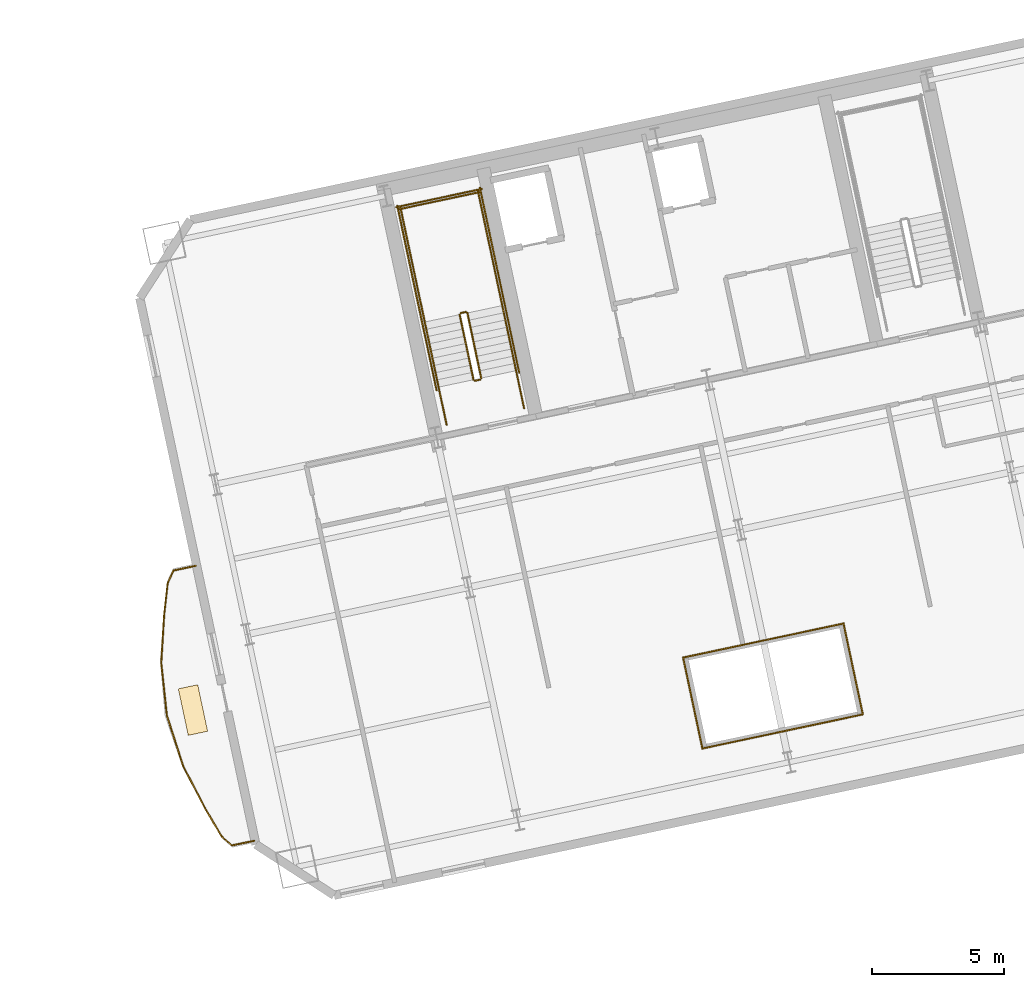
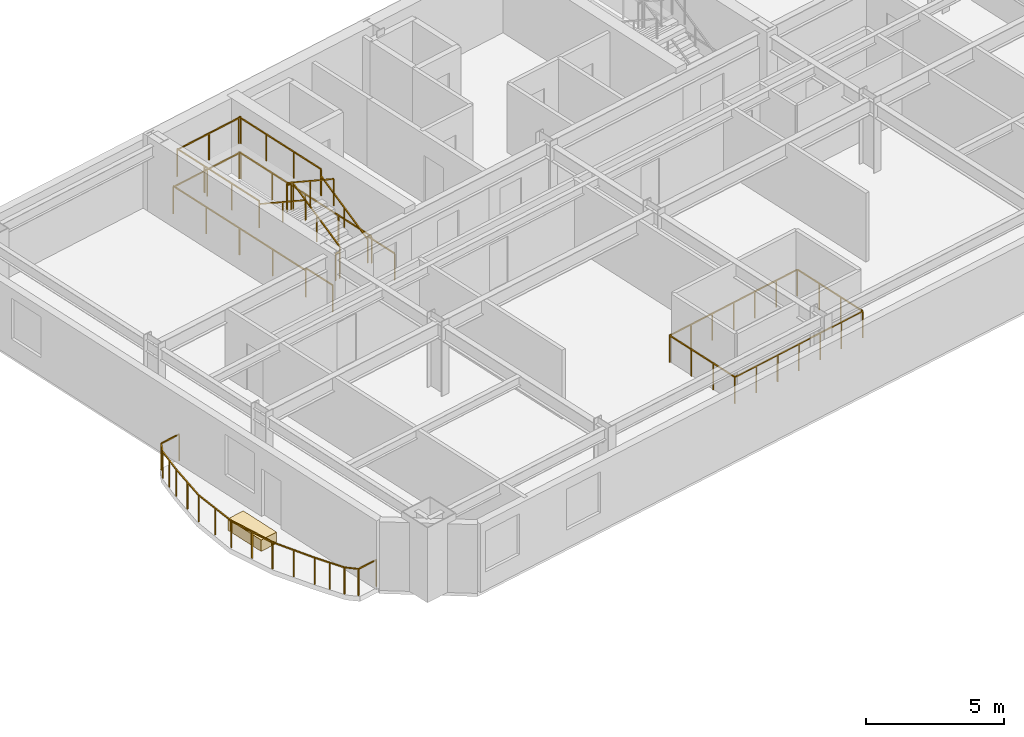
# One storey, part 13 of 14: 28 railings, 1 covering.
"""IFC4 building model written with IfcOpenShell, lengths in metres."""

from ifc_helpers import new_model, si_unit, direction, frame, origin, origin_2d, place, context, subcontext, project, spatial, rectangle, extrude, material, layer, layer_set, type_object, element, save


model = new_model("IFC4")

# Units and contexts
model_context = context("Model", 3, precision=1e-05, world=origin(), true_north=direction((0.0, 1.0)))
body_context = subcontext(model_context, "Body", "Model", "MODEL_VIEW")
ifc_project = project(units=[si_unit("LENGTHUNIT", "METRE"), si_unit("AREAUNIT", "SQUARE_METRE"), si_unit("VOLUMEUNIT", "CUBIC_METRE"), si_unit("PLANEANGLEUNIT", "RADIAN"), si_unit("MASSUNIT", "GRAM", prefix="KILO")], contexts=[model_context])

# Site, building, storey
site_placement = place(None, origin())
site = spatial("IfcSite", under=ifc_project, at=site_placement, CompositionType="ELEMENT")
building_placement = place(site_placement, origin())
building = spatial("IfcBuilding", under=site, at=building_placement, Name="Haevon Station Towers", CompositionType="ELEMENT")
storey_placement = place(building_placement, frame((0.0, 0.0, 106.5)))
storey = spatial("IfcBuildingStorey", under=building, at=storey_placement, Name="L28", CompositionType="ELEMENT", Elevation=106.5)

# Railings
ifc_material_1 = material(Name="Steel S355", Category="steel")
railing_type_1 = type_object("IfcRailingType", Name="BAL-ATR1200", PredefinedType="BALUSTRADE", material=ifc_material_1)
railing_1_placement = place(storey_placement, frame((108.81591796875, 25.668212890625, 0.0)))
element("IfcRailing", 1, at=railing_1_placement, inside=storey, type_object=railing_type_1, Name="L28 Atrium Void Balustrade 1", PredefinedType="BALUSTRADE", context=body_context, shape_type="SweptSolid", body=[
    extrude(rectangle(XDim=0.048095703125, YDim=0.048095703125, at=origin_2d()), frame((0.0, 0.0, 1.17578125), z_axis=(0.97814235822, 0.207936353378, 0.0), x_axis=(-0.207936353378, 0.97814235822, 0.0)), (0.0, 0.0, 1.0), 6.208740234375),
    extrude(rectangle(XDim=0.0419921875, YDim=0.0419921875, at=origin_2d()), origin(), (0.0, 0.0, 1.0), 1.15185546875),
    extrude(rectangle(XDim=0.0419921875, YDim=0.0419921875, at=origin_2d()), frame((1.01220703125, 0.215087890625, 0.0)), (0.0, 0.0, 1.0), 1.15185546875),
    extrude(rectangle(XDim=0.0419921875, YDim=0.0419921875, at=origin_2d()), frame((2.0244140625, 0.430419921875, 0.0)), (0.0, 0.0, 1.0), 1.15185546875),
    extrude(rectangle(XDim=0.0419921875, YDim=0.0419921875, at=origin_2d()), frame((3.03662109375, 0.6455078125, 0.0)), (0.0, 0.0, 1.0), 1.15185546875),
    extrude(rectangle(XDim=0.0419921875, YDim=0.0419921875, at=origin_2d()), frame((4.048583984375, 0.860595703125, 0.0)), (0.0, 0.0, 1.0), 1.15185546875),
    extrude(rectangle(XDim=0.0419921875, YDim=0.0419921875, at=origin_2d()), frame((5.060791015625, 1.075927734375, 0.0)), (0.0, 0.0, 1.0), 1.15185546875),
    extrude(rectangle(XDim=0.0419921875, YDim=0.0419921875, at=origin_2d()), frame((6.072998046875, 1.291015625, 0.0)), (0.0, 0.0, 1.0), 1.15185546875),
])
railing_2_placement = place(storey_placement, frame((114.888916015625, 26.959228515625, 0.0)))
element("IfcRailing", 2, at=railing_2_placement, inside=storey, type_object=railing_type_1, Name="L28 Atrium Void Balustrade 2", PredefinedType="BALUSTRADE", context=body_context, shape_type="SweptSolid", body=[
    extrude(rectangle(XDim=0.048095703125, YDim=0.048095703125, at=origin_2d()), frame((0.0, 0.0, 1.17578125), z_axis=(-0.207898592019, 0.978150384878, 0.0), x_axis=(-0.978150384878, -0.207898592019, 0.0)), (0.0, 0.0, 1.0), 3.518310546875),
    extrude(rectangle(XDim=0.0419921875, YDim=0.0419921875, at=origin_2d()), origin(), (0.0, 0.0, 1.0), 1.15185546875),
    extrude(rectangle(XDim=0.0419921875, YDim=0.0419921875, at=origin_2d()), frame((-0.243896484375, 1.147216796875, 0.0)), (0.0, 0.0, 1.0), 1.15185546875),
    extrude(rectangle(XDim=0.0419921875, YDim=0.0419921875, at=origin_2d()), frame((-0.487548828125, 2.294189453125, 0.0)), (0.0, 0.0, 1.0), 1.15185546875),
    extrude(rectangle(XDim=0.0419921875, YDim=0.0419921875, at=origin_2d()), frame((-0.7314453125, 3.44140625, 0.0)), (0.0, 0.0, 1.0), 1.15185546875),
])
railing_3_placement = place(storey_placement, frame((114.157470703125, 30.400634765625, 0.0)))
element("IfcRailing", 3, at=railing_3_placement, inside=storey, type_object=railing_type_1, Name="L28 Atrium Void Balustrade 3", PredefinedType="BALUSTRADE", context=body_context, shape_type="SweptSolid", body=[
    extrude(rectangle(XDim=0.048095703125, YDim=0.048095703125, at=origin_2d()), frame((0.0, 0.0, 1.17578125), z_axis=(-0.978144058321, -0.207928355861, 0.0), x_axis=(0.207928355861, -0.978144058321, 0.0)), (0.0, 0.0, 1.0), 6.208984375),
    extrude(rectangle(XDim=0.0419921875, YDim=0.0419921875, at=origin_2d()), origin(), (0.0, 0.0, 1.0), 1.15185546875),
    extrude(rectangle(XDim=0.0419921875, YDim=0.0419921875, at=origin_2d()), frame((-1.01220703125, -0.215087890625, 0.0)), (0.0, 0.0, 1.0), 1.15185546875),
    extrude(rectangle(XDim=0.0419921875, YDim=0.0419921875, at=origin_2d()), frame((-2.0244140625, -0.430419921875, 0.0)), (0.0, 0.0, 1.0), 1.15185546875),
    extrude(rectangle(XDim=0.0419921875, YDim=0.0419921875, at=origin_2d()), frame((-3.03662109375, -0.6455078125, 0.0)), (0.0, 0.0, 1.0), 1.15185546875),
    extrude(rectangle(XDim=0.0419921875, YDim=0.0419921875, at=origin_2d()), frame((-4.048828125, -0.860595703125, 0.0)), (0.0, 0.0, 1.0), 1.15185546875),
    extrude(rectangle(XDim=0.0419921875, YDim=0.0419921875, at=origin_2d()), frame((-5.06103515625, -1.075927734375, 0.0)), (0.0, 0.0, 1.0), 1.15185546875),
    extrude(rectangle(XDim=0.0419921875, YDim=0.0419921875, at=origin_2d()), frame((-6.0732421875, -1.291015625, 0.0)), (0.0, 0.0, 1.0), 1.15185546875),
])
railing_4_placement = place(storey_placement, frame((108.084228515625, 29.109619140625, 0.0)))
element("IfcRailing", 4, at=railing_4_placement, inside=storey, type_object=railing_type_1, Name="L28 Atrium Void Balustrade 4", PredefinedType="BALUSTRADE", context=body_context, shape_type="SweptSolid", body=[
    extrude(rectangle(XDim=0.048095703125, YDim=0.048095703125, at=origin_2d()), frame((0.0, 0.0, 1.17578125), z_axis=(0.207964983384, -0.978136271532, 0.0), x_axis=(0.978136271532, 0.207964983384, 0.0)), (0.0, 0.0, 1.0), 3.518310546875),
    extrude(rectangle(XDim=0.0419921875, YDim=0.0419921875, at=origin_2d()), origin(), (0.0, 0.0, 1.0), 1.15185546875),
    extrude(rectangle(XDim=0.0419921875, YDim=0.0419921875, at=origin_2d()), frame((0.243896484375, -1.147216796875, 0.0)), (0.0, 0.0, 1.0), 1.15185546875),
    extrude(rectangle(XDim=0.0419921875, YDim=0.0419921875, at=origin_2d()), frame((0.48779296875, -2.294189453125, 0.0)), (0.0, 0.0, 1.0), 1.15185546875),
    extrude(rectangle(XDim=0.0419921875, YDim=0.0419921875, at=origin_2d()), frame((0.731689453125, -3.44140625, 0.0)), (0.0, 0.0, 1.0), 1.15185546875),
])
railing_type_2 = type_object("IfcRailingType", Name="GRD-EXT1200", PredefinedType="GUARDRAIL", material=ifc_material_1)
railing_5_placement = place(storey_placement, frame((89.63916015625, 32.588623046875, 0.0)))
element("IfcRailing", 5, at=railing_5_placement, inside=storey, type_object=railing_type_2, Name="L28 Perimeter Guardrail 1", PredefinedType="GUARDRAIL", context=body_context, shape_type="SweptSolid", body=[
    extrude(rectangle(XDim=0.048095703125, YDim=0.048095703125, at=origin_2d()), frame((0.0, 0.0, 1.17578125), z_axis=(-0.977695451476, -0.210027627141, 0.0), x_axis=(0.210027627141, -0.977695451476, 0.0)), (0.0, 0.0, 1.0), 0.869384765625),
    extrude(rectangle(XDim=0.0419921875, YDim=0.0419921875, at=origin_2d()), origin(), (0.0, 0.0, 1.0), 1.15185546875),
    extrude(rectangle(XDim=0.0419921875, YDim=0.0419921875, at=origin_2d()), frame((-0.85009765625, -0.1826171875, 0.0)), (0.0, 0.0, 1.0), 1.15185546875),
])
railing_6_placement = place(storey_placement, frame((88.7890625, 32.406005859375, 0.0)))
element("IfcRailing", 6, at=railing_6_placement, inside=storey, type_object=railing_type_2, Name="L28 Perimeter Guardrail 2", PredefinedType="GUARDRAIL", context=body_context, shape_type="SweptSolid", body=[
    extrude(rectangle(XDim=0.048095703125, YDim=0.048095703125, at=origin_2d()), frame((0.0, 0.0, 1.17578125), z_axis=(-0.424336804867, -0.905504431814, 0.0), x_axis=(0.905504431814, -0.424336804867, 0.0)), (0.0, 0.0, 1.0), 0.515625),
    extrude(rectangle(XDim=0.0419921875, YDim=0.0419921875, at=origin_2d()), origin(), (0.0, 0.0, 1.0), 1.15185546875),
    extrude(rectangle(XDim=0.0419921875, YDim=0.0419921875, at=origin_2d()), frame((-0.21875, -0.466796875, 0.0)), (0.0, 0.0, 1.0), 1.15185546875),
])
railing_7_placement = place(storey_placement, frame((88.5703125, 31.939208984375, 0.0)))
element("IfcRailing", 7, at=railing_7_placement, inside=storey, type_object=railing_type_2, Name="L28 Perimeter Guardrail 3", PredefinedType="GUARDRAIL", context=body_context, shape_type="SweptSolid", body=[
    extrude(rectangle(XDim=0.048095703125, YDim=0.048095703125, at=origin_2d()), frame((0.0, 0.0, 1.17578125), z_axis=(-0.111061630517, -0.993813520851, 0.0), x_axis=(0.993813520851, -0.111061630517, 0.0)), (0.0, 0.0, 1.0), 1.233154296875),
    extrude(rectangle(XDim=0.0419921875, YDim=0.0419921875, at=origin_2d()), origin(), (0.0, 0.0, 1.0), 1.15185546875),
    extrude(rectangle(XDim=0.0419921875, YDim=0.0419921875, at=origin_2d()), frame((-0.068359375, -0.61279296875, 0.0)), (0.0, 0.0, 1.0), 1.15185546875),
    extrude(rectangle(XDim=0.0419921875, YDim=0.0419921875, at=origin_2d()), frame((-0.136962890625, -1.2255859375, 0.0)), (0.0, 0.0, 1.0), 1.15185546875),
])
railing_8_placement = place(storey_placement, frame((88.433349609375, 30.713623046875, 0.0)))
element("IfcRailing", 8, at=railing_8_placement, inside=storey, type_object=railing_type_2, Name="L28 Perimeter Guardrail 4", PredefinedType="GUARDRAIL", context=body_context, shape_type="SweptSolid", body=[
    extrude(rectangle(XDim=0.048095703125, YDim=0.048095703125, at=origin_2d()), frame((0.0, 0.0, 1.17578125), z_axis=(-0.060096367528, -0.998192579921, 0.0), x_axis=(0.998192579921, -0.060096367528, 0.0)), (0.0, 0.0, 1.0), 1.811767578125),
    extrude(rectangle(XDim=0.0419921875, YDim=0.0419921875, at=origin_2d()), origin(), (0.0, 0.0, 1.0), 1.15185546875),
    extrude(rectangle(XDim=0.0419921875, YDim=0.0419921875, at=origin_2d()), frame((-0.054443359375, -0.904296875, 0.0)), (0.0, 0.0, 1.0), 1.15185546875),
    extrude(rectangle(XDim=0.0419921875, YDim=0.0419921875, at=origin_2d()), frame((-0.10888671875, -1.80859375, 0.0)), (0.0, 0.0, 1.0), 1.15185546875),
])
railing_9_placement = place(storey_placement, frame((88.324462890625, 28.905029296875, 0.0)))
element("IfcRailing", 9, at=railing_9_placement, inside=storey, type_object=railing_type_2, Name="L28 Perimeter Guardrail 5", PredefinedType="GUARDRAIL", context=body_context, shape_type="SweptSolid", body=[
    extrude(rectangle(XDim=0.048095703125, YDim=0.048095703125, at=origin_2d()), frame((0.0, 0.0, 1.17578125), z_axis=(0.107286422576, -0.994228154666, 0.0), x_axis=(0.994228154666, 0.107286422576, 0.0)), (0.0, 0.0, 1.0), 2.00244140625),
    extrude(rectangle(XDim=0.0419921875, YDim=0.0419921875, at=origin_2d()), origin(), (0.0, 0.0, 1.0), 1.15185546875),
    extrude(rectangle(XDim=0.0419921875, YDim=0.0419921875, at=origin_2d()), frame((0.107421875, -0.99560546875, 0.0)), (0.0, 0.0, 1.0), 1.15185546875),
    extrude(rectangle(XDim=0.0419921875, YDim=0.0419921875, at=origin_2d()), frame((0.21484375, -1.990966796875, 0.0)), (0.0, 0.0, 1.0), 1.15185546875),
])
railing_10_placement = place(storey_placement, frame((88.539306640625, 26.9140625, 0.0)))
element("IfcRailing", 10, at=railing_10_placement, inside=storey, type_object=railing_type_2, Name="L28 Perimeter Guardrail 6", PredefinedType="GUARDRAIL", context=body_context, shape_type="SweptSolid", body=[
    extrude(rectangle(XDim=0.048095703125, YDim=0.048095703125, at=origin_2d()), frame((0.0, 0.0, 1.17578125), z_axis=(0.30633667378, -0.951923233406, 0.0), x_axis=(0.951923233406, 0.30633667378, 0.0)), (0.0, 0.0, 1.0), 2.002685546875),
    extrude(rectangle(XDim=0.0419921875, YDim=0.0419921875, at=origin_2d()), origin(), (0.0, 0.0, 1.0), 1.15185546875),
    extrude(rectangle(XDim=0.0419921875, YDim=0.0419921875, at=origin_2d()), frame((0.306640625, -0.953125, 0.0)), (0.0, 0.0, 1.0), 1.15185546875),
    extrude(rectangle(XDim=0.0419921875, YDim=0.0419921875, at=origin_2d()), frame((0.613525390625, -1.906494140625, 0.0)), (0.0, 0.0, 1.0), 1.15185546875),
])
railing_11_placement = place(storey_placement, frame((89.15283203125, 25.007568359375, 0.0)))
element("IfcRailing", 11, at=railing_11_placement, inside=storey, type_object=railing_type_2, Name="L28 Perimeter Guardrail 7", PredefinedType="GUARDRAIL", context=body_context, shape_type="SweptSolid", body=[
    extrude(rectangle(XDim=0.048095703125, YDim=0.048095703125, at=origin_2d()), frame((0.0, 0.0, 1.17578125), z_axis=(0.460958133013, -0.887421883666, 0.0), x_axis=(0.887421883666, 0.460958133013, 0.0)), (0.0, 0.0, 1.0), 1.811767578125),
    extrude(rectangle(XDim=0.0419921875, YDim=0.0419921875, at=origin_2d()), origin(), (0.0, 0.0, 1.0), 1.15185546875),
    extrude(rectangle(XDim=0.0419921875, YDim=0.0419921875, at=origin_2d()), frame((0.41748046875, -0.803955078125, 0.0)), (0.0, 0.0, 1.0), 1.15185546875),
    extrude(rectangle(XDim=0.0419921875, YDim=0.0419921875, at=origin_2d()), frame((0.835205078125, -1.60791015625, 0.0)), (0.0, 0.0, 1.0), 1.15185546875),
])
railing_12_placement = place(storey_placement, frame((89.988037109375, 23.399658203125, 0.0)))
element("IfcRailing", 12, at=railing_12_placement, inside=storey, type_object=railing_type_2, Name="L28 Perimeter Guardrail 8", PredefinedType="GUARDRAIL", context=body_context, shape_type="SweptSolid", body=[
    extrude(rectangle(XDim=0.048095703125, YDim=0.048095703125, at=origin_2d()), frame((0.0, 0.0, 1.17578125), z_axis=(0.505617882781, -0.862757530603, 0.0), x_axis=(0.862757530603, 0.505617882781, 0.0)), (0.0, 0.0, 1.0), 1.233154296875),
    extrude(rectangle(XDim=0.0419921875, YDim=0.0419921875, at=origin_2d()), origin(), (0.0, 0.0, 1.0), 1.15185546875),
    extrude(rectangle(XDim=0.0419921875, YDim=0.0419921875, at=origin_2d()), frame((0.311767578125, -0.531982421875, 0.0)), (0.0, 0.0, 1.0), 1.15185546875),
    extrude(rectangle(XDim=0.0419921875, YDim=0.0419921875, at=origin_2d()), frame((0.62353515625, -1.06396484375, 0.0)), (0.0, 0.0, 1.0), 1.15185546875),
])
railing_13_placement = place(storey_placement, frame((90.611572265625, 22.335693359375, 0.0)))
element("IfcRailing", 13, at=railing_13_placement, inside=storey, type_object=railing_type_2, Name="L28 Perimeter Guardrail 9", PredefinedType="GUARDRAIL", context=body_context, shape_type="SweptSolid", body=[
    extrude(rectangle(XDim=0.048095703125, YDim=0.048095703125, at=origin_2d()), frame((0.0, 0.0, 1.17578125), z_axis=(0.756173188117, -0.654371537869, 0.0), x_axis=(0.654371537869, 0.756173188117, 0.0)), (0.0, 0.0, 1.0), 0.515625),
    extrude(rectangle(XDim=0.0419921875, YDim=0.0419921875, at=origin_2d()), origin(), (0.0, 0.0, 1.0), 1.15185546875),
    extrude(rectangle(XDim=0.0419921875, YDim=0.0419921875, at=origin_2d()), frame((0.389892578125, -0.33740234375, 0.0)), (0.0, 0.0, 1.0), 1.15185546875),
])
railing_14_placement = place(storey_placement, frame((91.00146484375, 21.998291015625, 0.0)))
element("IfcRailing", 14, at=railing_14_placement, inside=storey, type_object=railing_type_2, Name="L28 Perimeter Guardrail 10", PredefinedType="GUARDRAIL", context=body_context, shape_type="SweptSolid", body=[
    extrude(rectangle(XDim=0.048095703125, YDim=0.048095703125, at=origin_2d()), frame((0.0, 0.0, 1.17578125), z_axis=(0.978645023674, 0.205557577426, 0.0), x_axis=(-0.205557577426, 0.978645023674, 0.0)), (0.0, 0.0, 1.0), 0.869384765625),
    extrude(rectangle(XDim=0.0419921875, YDim=0.0419921875, at=origin_2d()), origin(), (0.0, 0.0, 1.0), 1.15185546875),
    extrude(rectangle(XDim=0.0419921875, YDim=0.0419921875, at=origin_2d()), frame((0.850830078125, 0.1787109375, 0.0)), (0.0, 0.0, 1.0), 1.15185546875),
])
railing_type_3 = type_object("IfcRailingType", Name="GRD-STR1200", PredefinedType="GUARDRAIL", material=ifc_material_1)
railing_15_placement = place(storey_placement, frame((100.44140625, 39.69287109375, 0.1650390625)))
element("IfcRailing", 15, at=railing_15_placement, inside=storey, type_object=railing_type_3, Name="L28 ST3 Stair Guard 1", PredefinedType="GUARDRAIL", context=body_context, shape_type="SweptSolid", body=[
    extrude(rectangle(XDim=0.048095703125, YDim=0.048095703125, at=origin_2d()), frame((0.0, 0.0, 1.17578125), z_axis=(-0.179128856099, 0.842723639875, 0.507670877349), x_axis=(-0.978147030254, -0.207914374695, 0.0)), (0.0, 0.0, 1.0), 2.9248046875),
    extrude(rectangle(XDim=0.0419921875, YDim=0.0419921875, at=origin_2d()), origin(), (0.0, 0.0, 1.0), 1.15185546875),
    extrude(rectangle(XDim=0.0419921875, YDim=0.0419921875, at=origin_2d()), frame((-0.261962890625, 1.232421875, 0.742431640625)), (0.0, 0.0, 1.0), 1.15185546875),
    extrude(rectangle(XDim=0.0419921875, YDim=0.0419921875, at=origin_2d()), frame((-0.52392578125, 2.46484375, 1.48486328125)), (0.0, 0.0, 1.0), 1.15185546875),
])
railing_16_placement = place(storey_placement, frame((99.858154296875, 42.1962890625, 1.64990234375)))
element("IfcRailing", 16, at=railing_16_placement, inside=storey, type_object=railing_type_3, Name="L28 ST3 Stair Guard 2", PredefinedType="GUARDRAIL", context=body_context, shape_type="SweptSolid", body=[
    extrude(rectangle(XDim=0.048095703125, YDim=0.048095703125, at=origin_2d()), frame((0.0, 0.0, 1.17578125), z_axis=(-0.977962931203, -0.208778603291, 0.0), x_axis=(0.208778603291, -0.977962931203, 0.0)), (0.0, 0.0, 1.0), 0.199951171875),
    extrude(rectangle(XDim=0.0419921875, YDim=0.0419921875, at=origin_2d()), origin(), (0.0, 0.0, 1.0), 1.15185546875),
    extrude(rectangle(XDim=0.0419921875, YDim=0.0419921875, at=origin_2d()), frame((-0.195556640625, -0.041748046875, 0.0)), (0.0, 0.0, 1.0), 1.15185546875),
])
railing_17_placement = place(storey_placement, frame((101.238037109375, 42.4384765625, 1.64990234375)))
element("IfcRailing", 17, at=railing_17_placement, inside=storey, type_object=railing_type_3, Name="L28 ST3 Stair Guard 3", PredefinedType="GUARDRAIL", context=body_context, shape_type="SweptSolid", body=[
    extrude(rectangle(XDim=0.048095703125, YDim=0.048095703125, at=origin_2d()), frame((0.0, 0.0, 1.17578125), z_axis=(-0.20794048909, 0.978141479029, 0.0), x_axis=(-0.978141479029, -0.20794048909, 0.0)), (0.0, 0.0, 1.0), 4.429931640625),
    extrude(rectangle(XDim=0.0419921875, YDim=0.0419921875, at=origin_2d()), origin(), (0.0, 0.0, 1.0), 1.15185546875),
    extrude(rectangle(XDim=0.0419921875, YDim=0.0419921875, at=origin_2d()), frame((-0.30712890625, 1.4443359375, 0.0)), (0.0, 0.0, 1.0), 1.15185546875),
    extrude(rectangle(XDim=0.0419921875, YDim=0.0419921875, at=origin_2d()), frame((-0.614013671875, 2.888671875, 0.0)), (0.0, 0.0, 1.0), 1.15185546875),
    extrude(rectangle(XDim=0.0419921875, YDim=0.0419921875, at=origin_2d()), frame((-0.921142578125, 4.3330078125, 0.0)), (0.0, 0.0, 1.0), 1.15185546875),
])
railing_18_placement = place(storey_placement, frame((98.303466796875, 41.814697265625, 1.64990234375)))
element("IfcRailing", 18, at=railing_18_placement, inside=storey, type_object=railing_type_3, Name="L28 ST3 Stair Guard 4", PredefinedType="GUARDRAIL", context=body_context, shape_type="SweptSolid", body=[
    extrude(rectangle(XDim=0.048095703125, YDim=0.048095703125, at=origin_2d()), frame((0.0, 0.0, 1.17578125), z_axis=(-0.207876551949, 0.978155069071, 0.0), x_axis=(-0.978155069071, -0.207876551949, 0.0)), (0.0, 0.0, 1.0), 4.429931640625),
    extrude(rectangle(XDim=0.0419921875, YDim=0.0419921875, at=origin_2d()), origin(), (0.0, 0.0, 1.0), 1.15185546875),
    extrude(rectangle(XDim=0.0419921875, YDim=0.0419921875, at=origin_2d()), frame((-0.306884765625, 1.4443359375, 0.0)), (0.0, 0.0, 1.0), 1.15185546875),
    extrude(rectangle(XDim=0.0419921875, YDim=0.0419921875, at=origin_2d()), frame((-0.614013671875, 2.888916015625, 0.0)), (0.0, 0.0, 1.0), 1.15185546875),
    extrude(rectangle(XDim=0.0419921875, YDim=0.0419921875, at=origin_2d()), frame((-0.9208984375, 4.333251953125, 0.0)), (0.0, 0.0, 1.0), 1.15185546875),
])
railing_19_placement = place(storey_placement, frame((100.376220703125, 46.733154296875, 1.64990234375)))
element("IfcRailing", 19, at=railing_19_placement, inside=storey, type_object=railing_type_3, Name="L28 ST3 Stair Guard 5", PredefinedType="GUARDRAIL", context=body_context, shape_type="SweptSolid", body=[
    extrude(rectangle(XDim=0.048095703125, YDim=0.048095703125, at=origin_2d()), frame((0.0, 0.0, 1.17578125), z_axis=(-0.978146839882, -0.207915270313, 0.0), x_axis=(0.207915270313, -0.978146839882, 0.0)), (0.0, 0.0, 1.0), 3.099853515625),
    extrude(rectangle(XDim=0.0419921875, YDim=0.0419921875, at=origin_2d()), origin(), (0.0, 0.0, 1.0), 1.15185546875),
    extrude(rectangle(XDim=0.0419921875, YDim=0.0419921875, at=origin_2d()), frame((-1.51611328125, -0.322265625, 0.0)), (0.0, 0.0, 1.0), 1.15185546875),
    extrude(rectangle(XDim=0.0419921875, YDim=0.0419921875, at=origin_2d()), frame((-3.0322265625, -0.64453125, 0.0)), (0.0, 0.0, 1.0), 1.15185546875),
])
railing_20_placement = place(storey_placement, frame((99.6240234375, 42.09521484375, 1.81494140625)))
element("IfcRailing", 20, at=railing_20_placement, inside=storey, type_object=railing_type_3, Name="L28 ST3 Stair Guard 6", PredefinedType="GUARDRAIL", context=body_context, shape_type="SweptSolid", body=[
    extrude(rectangle(XDim=0.048095703125, YDim=0.048095703125, at=origin_2d()), frame((0.0, 0.0, 1.17578125), z_axis=(0.179121265225, -0.842687928106, 0.507732831485), x_axis=(0.978147030254, 0.207914374695, 0.0)), (0.0, 0.0, 1.0), 2.925048828125),
    extrude(rectangle(XDim=0.0419921875, YDim=0.0419921875, at=origin_2d()), origin(), (0.0, 0.0, 1.0), 1.15185546875),
    extrude(rectangle(XDim=0.0419921875, YDim=0.0419921875, at=origin_2d()), frame((0.261962890625, -1.232421875, 0.74267578125)), (0.0, 0.0, 1.0), 1.15185546875),
    extrude(rectangle(XDim=0.0419921875, YDim=0.0419921875, at=origin_2d()), frame((0.52392578125, -2.46484375, 1.485107421875)), (0.0, 0.0, 1.0), 1.15185546875),
])
railing_21_placement = place(storey_placement, frame((100.40283203125, 39.633544921875, 0.0)))
element("IfcRailing", 21, at=railing_21_placement, inside=storey, type_object=railing_type_3, Name="L28 ST3 Stair Guard 7", PredefinedType="GUARDRAIL", context=body_context, shape_type="SweptSolid", body=[
    extrude(rectangle(XDim=0.048095703125, YDim=0.048095703125, at=origin_2d()), frame((0.0, 0.0, 1.17578125), z_axis=(-0.977962931203, -0.208778603291, 0.0), x_axis=(0.208778603291, -0.977962931203, 0.0)), (0.0, 0.0, 1.0), 0.199951171875),
    extrude(rectangle(XDim=0.0419921875, YDim=0.0419921875, at=origin_2d()), origin(), (0.0, 0.0, 1.0), 1.15185546875),
    extrude(rectangle(XDim=0.0419921875, YDim=0.0419921875, at=origin_2d()), frame((-0.195556640625, -0.041748046875, 0.0)), (0.0, 0.0, 1.0), 1.15185546875),
])
for number, where, name in (
    (22, (102.0634765625, 38.55517578125, 0.0), "L28 ST3 Stair Guard 8"),
    (23, (99.12890625, 37.931396484375, 0.0), "L28 ST3 Stair Guard 9"),
):
    element("IfcRailing", number, at=place(storey_placement, frame(where)), inside=storey, type_object=railing_type_3, Name=name, PredefinedType="GUARDRAIL", context=body_context, shape_type="SweptSolid", body=[
        extrude(rectangle(XDim=0.048095703125, YDim=0.048095703125, at=origin_2d()), frame((0.0, 0.0, 1.17578125), z_axis=(-0.207953405961, 0.978138732977, 0.0), x_axis=(-0.978138732977, -0.207953405961, 0.0)), (0.0, 0.0, 1.0), 1.449951171875),
        extrude(rectangle(XDim=0.0419921875, YDim=0.0419921875, at=origin_2d()), origin(), (0.0, 0.0, 1.0), 1.15185546875),
        extrude(rectangle(XDim=0.0419921875, YDim=0.0419921875, at=origin_2d()), frame((-0.301513671875, 1.418212890625, 0.0)), (0.0, 0.0, 1.0), 1.15185546875),
    ])
railing_22_placement = place(storey_placement, frame((101.88037109375, 39.896484375, 0.0)))
element("IfcRailing", 24, at=railing_22_placement, inside=storey, type_object=railing_type_3, Name="L28 ST3 Stair Guard 10", PredefinedType="GUARDRAIL", context=body_context, shape_type="SweptSolid", body=[
    extrude(rectangle(XDim=0.048095703125, YDim=0.048095703125, at=origin_2d()), frame((0.0, 0.0, 1.17578125), z_axis=(-0.207882442208, 0.978153817261, 0.0), x_axis=(-0.978153817261, -0.207882442208, 0.0)), (0.0, 0.0, 1.0), 7.14990234375),
    extrude(rectangle(XDim=0.0419921875, YDim=0.0419921875, at=origin_2d()), origin(), (0.0, 0.0, 1.0), 1.15185546875),
    extrude(rectangle(XDim=0.0419921875, YDim=0.0419921875, at=origin_2d()), frame((-0.37158203125, 1.74853515625, 0.0)), (0.0, 0.0, 1.0), 1.15185546875),
    extrude(rectangle(XDim=0.0419921875, YDim=0.0419921875, at=origin_2d()), frame((-0.7431640625, 3.496826171875, 0.0)), (0.0, 0.0, 1.0), 1.15185546875),
    extrude(rectangle(XDim=0.0419921875, YDim=0.0419921875, at=origin_2d()), frame((-1.11474609375, 5.2451171875, 0.0)), (0.0, 0.0, 1.0), 1.15185546875),
    extrude(rectangle(XDim=0.0419921875, YDim=0.0419921875, at=origin_2d()), frame((-1.486328125, 6.99365234375, 0.0)), (0.0, 0.0, 1.0), 1.15185546875),
])
railing_23_placement = place(storey_placement, frame((98.75048828125, 39.231201171875, 0.0)))
element("IfcRailing", 25, at=railing_23_placement, inside=storey, type_object=railing_type_3, Name="L28 ST3 Stair Guard 11", PredefinedType="GUARDRAIL", context=body_context, shape_type="SweptSolid", body=[
    extrude(rectangle(XDim=0.048095703125, YDim=0.048095703125, at=origin_2d()), frame((0.0, 0.0, 1.17578125), z_axis=(-0.207915112487, 0.978146873429, 0.0), x_axis=(-0.978146873429, -0.207915112487, 0.0)), (0.0, 0.0, 1.0), 7.14990234375),
    extrude(rectangle(XDim=0.0419921875, YDim=0.0419921875, at=origin_2d()), origin(), (0.0, 0.0, 1.0), 1.15185546875),
    extrude(rectangle(XDim=0.0419921875, YDim=0.0419921875, at=origin_2d()), frame((-0.37158203125, 1.74853515625, 0.0)), (0.0, 0.0, 1.0), 1.15185546875),
    extrude(rectangle(XDim=0.0419921875, YDim=0.0419921875, at=origin_2d()), frame((-0.7431640625, 3.496826171875, 0.0)), (0.0, 0.0, 1.0), 1.15185546875),
    extrude(rectangle(XDim=0.0419921875, YDim=0.0419921875, at=origin_2d()), frame((-1.114990234375, 5.2451171875, 0.0)), (0.0, 0.0, 1.0), 1.15185546875),
    extrude(rectangle(XDim=0.0419921875, YDim=0.0419921875, at=origin_2d()), frame((-1.486572265625, 6.99365234375, 0.0)), (0.0, 0.0, 1.0), 1.15185546875),
])
railing_24_placement = place(storey_placement, frame((100.453125, 46.8515625, 0.0)))
element("IfcRailing", 26, at=railing_24_placement, inside=storey, type_object=railing_type_3, Name="L28 ST3 Stair Guard 12", PredefinedType="GUARDRAIL", context=body_context, shape_type="SweptSolid", body=[
    extrude(rectangle(XDim=0.048095703125, YDim=0.048095703125, at=origin_2d()), frame((0.0, 0.0, 1.17578125), z_axis=(-0.978150764849, -0.207896804268, 0.0), x_axis=(0.207896804268, -0.978150764849, 0.0)), (0.0, 0.0, 1.0), 3.2998046875),
    extrude(rectangle(XDim=0.0419921875, YDim=0.0419921875, at=origin_2d()), origin(), (0.0, 0.0, 1.0), 1.15185546875),
    extrude(rectangle(XDim=0.0419921875, YDim=0.0419921875, at=origin_2d()), frame((-1.61376953125, -0.343017578125, 0.0)), (0.0, 0.0, 1.0), 1.15185546875),
    extrude(rectangle(XDim=0.0419921875, YDim=0.0419921875, at=origin_2d()), frame((-3.227783203125, -0.68603515625, 0.0)), (0.0, 0.0, 1.0), 1.15185546875),
])
railing_type_4 = type_object("IfcRailingType", Name="HND-STR900", PredefinedType="HANDRAIL", material=ifc_material_1)
railing_25_placement = place(storey_placement, frame((101.761962890625, 39.973388671875, 0.1650390625)))
element("IfcRailing", 27, at=railing_25_placement, inside=storey, type_object=railing_type_4, Name="L28 ST3 Stair Handrail 1", PredefinedType="HANDRAIL", context=body_context, shape_type="SweptSolid", body=[
    extrude(rectangle(XDim=0.048095703125, YDim=0.048095703125, at=origin_2d()), frame((0.0, 0.0, 0.8759765625), z_axis=(-0.179116256339, 0.842747828638, 0.507635168246), x_axis=(-0.978151217824, -0.207894673017, 0.0)), (0.0, 0.0, 1.0), 2.925048828125),
    extrude(rectangle(XDim=0.0419921875, YDim=0.0419921875, at=origin_2d()), origin(), (0.0, 0.0, 1.0), 0.851806640625),
    extrude(rectangle(XDim=0.0419921875, YDim=0.0419921875, at=origin_2d()), frame((-0.261962890625, 1.232421875, 0.742431640625)), (0.0, 0.0, 1.0), 0.851806640625),
    extrude(rectangle(XDim=0.0419921875, YDim=0.0419921875, at=origin_2d()), frame((-0.52392578125, 2.465087890625, 1.48486328125)), (0.0, 0.0, 1.0), 0.851806640625),
])
railing_26_placement = place(storey_placement, frame((98.303466796875, 41.814697265625, 1.81494140625)))
element("IfcRailing", 28, at=railing_26_placement, inside=storey, type_object=railing_type_4, Name="L28 ST3 Stair Handrail 2", PredefinedType="HANDRAIL", context=body_context, shape_type="SweptSolid", body=[
    extrude(rectangle(XDim=0.048095703125, YDim=0.048095703125, at=origin_2d()), frame((0.0, 0.0, 0.8759765625), z_axis=(0.179108667068, -0.842712120868, 0.50769712105), x_axis=(0.978151217824, 0.207894673017, 0.0)), (0.0, 0.0, 1.0), 2.92529296875),
    extrude(rectangle(XDim=0.0419921875, YDim=0.0419921875, at=origin_2d()), origin(), (0.0, 0.0, 1.0), 0.851806640625),
    extrude(rectangle(XDim=0.0419921875, YDim=0.0419921875, at=origin_2d()), frame((0.261962890625, -1.232421875, 0.74267578125)), (0.0, 0.0, 1.0), 0.851806640625),
    extrude(rectangle(XDim=0.0419921875, YDim=0.0419921875, at=origin_2d()), frame((0.52392578125, -2.465087890625, 1.485107421875)), (0.0, 0.0, 1.0), 0.851806640625),
])

# Covering
ifc_material_2 = material(Name="Architectural planter GRC", Category="concrete")
ifc_layer = layer(ifc_material_2, 0.550048828125)
ifc_layer_set = layer_set([ifc_layer], Name="Architectural planter GRC")
covering_type = type_object("IfcCoveringType", Name="PLN-GRC550", PredefinedType="MOLDING", material=ifc_layer_set)
covering_placement = place(storey_placement, frame((89.52734375, 27.1240234375, 0.0), z_axis=(0.0, 0.0, 1.0), x_axis=(0.978147600734, 0.207911690818, 0.0)))
element("IfcCovering", 29, at=covering_placement, inside=storey, type_object=covering_type, Name="Tower 2 L28 Scalloped Balcony PLANTER", PredefinedType="MOLDING", context=body_context, shape_type="SweptSolid", body=[
    extrude(rectangle(XDim=0.75, YDim=1.800048828125, at=origin_2d()), origin(), (0.0, 0.0, 1.0), 0.5),
])

save(model, "model.ifc")
